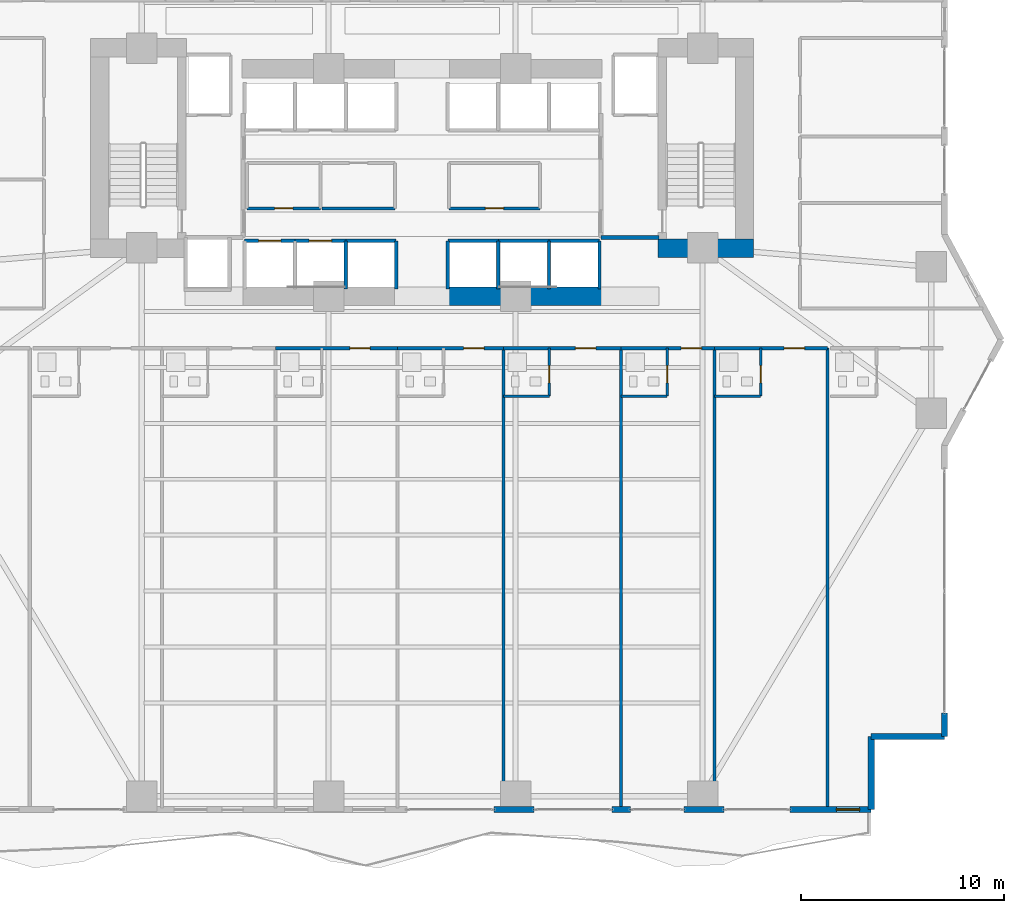
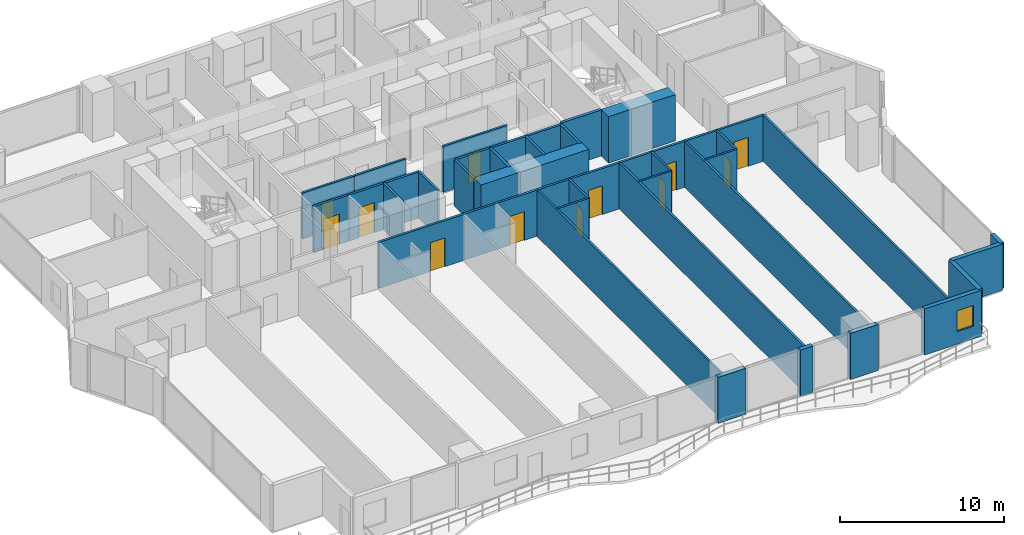
# One storey, part 19 of 28: 40 walls, 12 doors, 1 window, 13 openings.
"""IFC4 building model written with IfcOpenShell, lengths in metres."""

from ifc_helpers import new_model, si_unit, direction, frame, frame_2d, origin, place, context, subcontext, project, spatial, rectangle, extrude, material, layer, layer_set, type_object, element, fill, save


model = new_model("IFC4")

# Units and contexts
model_context = context("Model", 3, precision=1e-05, world=origin(), true_north=direction((0.0, 1.0)))
body_context = subcontext(model_context, "Body", "Model", "MODEL_VIEW")
ifc_project = project(units=[si_unit("LENGTHUNIT", "METRE"), si_unit("AREAUNIT", "SQUARE_METRE"), si_unit("VOLUMEUNIT", "CUBIC_METRE"), si_unit("PLANEANGLEUNIT", "RADIAN"), si_unit("MASSUNIT", "GRAM", prefix="KILO")], contexts=[model_context])

# Site, building, storey
site_placement = place(None, origin())
site = spatial("IfcSite", under=ifc_project, at=site_placement, CompositionType="ELEMENT")
building_placement = place(site_placement, origin())
building = spatial("IfcBuilding", under=site, at=building_placement, Name="Zuhayl Quay Hotel", CompositionType="ELEMENT")
storey_placement = place(building_placement, frame((0.0, 0.0, 34.89990234375)))
storey = spatial("IfcBuildingStorey", under=building, at=storey_placement, Name="L07", CompositionType="ELEMENT", Elevation=34.89990234375)

# Walls
ifc_material_1 = material(Name="Concrete C70/85", Category="concrete")
ifc_layer_1 = layer(ifc_material_1, 0.89990234375, Name="Concrete C70/85", Category="concrete")
ifc_layer_set_1 = layer_set([ifc_layer_1], Name="Concrete C70/85")
wall_type_1 = type_object("IfcWallType", Name="WL_CORE_900", PredefinedType="SHEAR", material=ifc_layer_set_1)
wall_1_placement = place(storey_placement, frame((11.60009765625, 4.52001953125, 0.0), z_axis=(0.0, 0.0, 1.0), x_axis=(1.0, 0.0, 0.0)))
element("IfcWall", 1, at=wall_1_placement, inside=storey, type_object=wall_type_1, Name="L07 Core Shear Wall CW_SE", PredefinedType="SHEAR", context=body_context, shape_type="SweptSolid", body=[
    extrude(rectangle(XDim=4.7099609375, YDim=0.89990234375, at=frame_2d((2.35498046875, 0.0))), origin(), (0.0, 0.0, 1.0), 3.460205078125),
])
wall_2_placement = place(storey_placement, frame((1.25, 2.14990234375, 0.0), z_axis=(0.0, 0.0, 1.0), x_axis=(1.0, 0.0, 0.0)))
element("IfcWall", 2, at=wall_2_placement, inside=storey, type_object=wall_type_1, Name="L07 Core Shear Wall CW_SC_E", PredefinedType="SHEAR", context=body_context, shape_type="SweptSolid", body=[
    extrude(rectangle(XDim=7.60009765625, YDim=0.89990234375, at=frame_2d((3.800048828125, 0.0))), origin(), (0.0, 0.0, 1.0), 3.43017578125),
])
ifc_material_2 = material(Name="Precast concrete C45/55", Category="concrete")
ifc_layer_2 = layer(ifc_material_2, 0.300048828125, Name="Precast concrete C45/55", Category="concrete")
ifc_layer_set_2 = layer_set([ifc_layer_2], Name="Precast concrete C45/55")
wall_type_2 = type_object("IfcWallType", Name="WL_EXT_300", PredefinedType="STANDARD", material=ifc_layer_set_2)
wall_3_placement = place(storey_placement, frame((25.699951171875, -18.35009765625, 0.0), z_axis=(0.0, 0.0, 1.0), x_axis=(0.0, -1.0, 0.0)))
element("IfcWall", 3, at=wall_3_placement, inside=storey, type_object=wall_type_2, Name="L07 Exterior Precast Wall ENV_L07_E14_EW2", PredefinedType="STANDARD", context=body_context, shape_type="SweptSolid", body=[
    extrude(rectangle(XDim=1.14990234375, YDim=0.300048828125, at=frame_2d((0.574951171875, 0.0))), origin(), (0.0, 0.0, 1.0), 3.43017578125),
])
wall_4_placement = place(storey_placement, frame((25.699951171875, -19.5, 0.0), z_axis=(0.0, 0.0, 1.0), x_axis=(-1.0, 0.0, 0.0)))
element("IfcWall", 4, at=wall_4_placement, inside=storey, type_object=wall_type_2, Name="L07 Exterior Precast Wall ENV_L07_EW15", PredefinedType="STANDARD", context=body_context, shape_type="SweptSolid", body=[
    extrude(rectangle(XDim=3.599853515625, YDim=0.300048828125, at=frame_2d((1.7998046875, 0.0))), origin(), (0.0, 0.0, 1.0), 3.43017578125),
])
wall_5_placement = place(storey_placement, frame((22.10009765625, -19.5, 0.0), z_axis=(0.0, 0.0, 1.0), x_axis=(0.0, -1.0, 0.0)))
element("IfcWall", 5, at=wall_5_placement, inside=storey, type_object=wall_type_2, Name="L07 Exterior Precast Wall ENV_L07_EW16", PredefinedType="STANDARD", context=body_context, shape_type="SweptSolid", body=[
    extrude(rectangle(XDim=3.60009765625, YDim=0.300048828125, at=frame_2d((1.800048828125, 0.0))), origin(), (0.0, 0.0, 1.0), 3.43017578125),
])

# Wall, opening, window
wall_6_placement = place(storey_placement, frame((22.10009765625, -23.10009765625, 0.0), z_axis=(0.0, 0.0, 1.0), x_axis=(-1.0, 0.0, 0.0)))
wall_6 = element("IfcWall", 6, at=wall_6_placement, inside=storey, type_object=wall_type_2, Name="L07 Exterior Precast Wall ENV_L07_S_EW1", PredefinedType="STANDARD", context=body_context, shape_type="SweptSolid", body=[
    extrude(rectangle(XDim=4.0, YDim=0.300048828125, at=frame_2d((2.0, 0.0))), origin(), (0.0, 0.0, 1.0), 3.43017578125),
])
opening_1_placement = place(wall_6_placement, frame((0.56494140625, 0.0, 0.949951171875)))
opening_1 = element("IfcOpeningElement", 7, at=opening_1_placement, cuts=wall_6, Name="Opening W01N", PredefinedType="OPENING", context=body_context, shape_type="SweptSolid", body=[
    extrude(rectangle(XDim=1.14990234375, YDim=1.550048828125, at=frame_2d((0.574951171875, 0.77490234375))), frame((0.0, 0.159912109375, 0.0), z_axis=(0.0, -1.0, 0.0), x_axis=(1.0, 0.0, 0.0)), (0.0, 0.0, 1.0), 0.320068359375),
])
ifc_material_3 = material(Name="Dark Ceramic-Fritted Solar Glass", Category="glass")
window_type = type_object("IfcWindowType", Name="WN_NOTCH_1350", PartitioningType="SINGLE_PANEL", PredefinedType="WINDOW", material=ifc_material_3)
window_placement = place(opening_1_placement, origin())
window = element("IfcWindow", 8, at=window_placement, inside=storey, type_object=window_type, Name="L07 Operable Facade Window 1-1", OverallHeight=1.550048828125, OverallWidth=1.14990234375, PartitioningType="SINGLE_PANEL", PredefinedType="WINDOW", context=body_context, shape_type="SweptSolid", body=[
    extrude(rectangle(XDim=1.14990234375, YDim=1.550048828125, at=frame_2d((0.574951171875, 0.77490234375))), frame((0.0, 0.030029296875, 0.0), z_axis=(0.0, -1.0, 0.0), x_axis=(1.0, 0.0, 0.0)), (0.0, 0.0, 1.0), 0.06005859375),
])
fill(opening_1, window)

# Walls
wall_7_placement = place(storey_placement, frame((14.85009765625, -23.10009765625, 0.0), z_axis=(0.0, 0.0, 1.0), x_axis=(-1.0, 0.0, 0.0)))
element("IfcWall", 9, at=wall_7_placement, inside=storey, type_object=wall_type_2, Name="L07 Exterior Precast Wall ENV_L07_S_EW2", PredefinedType="STANDARD", context=body_context, shape_type="SweptSolid", body=[
    extrude(rectangle(XDim=1.97021484375, YDim=0.300048828125, at=frame_2d((0.985107421875, 0.0))), origin(), (0.0, 0.0, 1.0), 3.43017578125),
])
wall_8_placement = place(storey_placement, frame((10.25, -23.10009765625, 0.0), z_axis=(0.0, 0.0, 1.0), x_axis=(-1.0, 0.0, 0.0)))
element("IfcWall", 10, at=wall_8_placement, inside=storey, type_object=wall_type_2, Name="L07 Exterior Precast Wall ENV_L07_S_EW3", PredefinedType="STANDARD", context=body_context, shape_type="SweptSolid", body=[
    extrude(rectangle(XDim=0.89990234375, YDim=0.300048828125, at=frame_2d((0.449951171875, 0.0))), origin(), (0.0, 0.0, 1.0), 3.43017578125),
])
wall_9_placement = place(storey_placement, frame((5.52001953125, -23.10009765625, 0.0), z_axis=(0.0, 0.0, 1.0), x_axis=(-1.0, 0.0, 0.0)))
element("IfcWall", 11, at=wall_9_placement, inside=storey, type_object=wall_type_2, Name="L07 Exterior Precast Wall ENV_L07_S_EW4", PredefinedType="STANDARD", context=body_context, shape_type="SweptSolid", body=[
    extrude(rectangle(XDim=1.969970703125, YDim=0.300048828125, at=frame_2d((0.98486328125, 0.0))), origin(), (0.0, 0.0, 1.0), 3.43017578125),
])

# Wall, opening, door
ifc_material_4 = material(Name="Acoustic Gypsum Partition STC-58")
ifc_layer_3 = layer(ifc_material_4, 0.14990234375, Name="Acoustic Gypsum Partition STC-58")
ifc_layer_set_3 = layer_set([ifc_layer_3], Name="Acoustic Gypsum Partition STC-58")
wall_type_3 = type_object("IfcWallType", Name="WL_PART_150", PredefinedType="PARTITIONING", material=ifc_layer_set_3)
wall_10_placement = place(storey_placement, frame((-8.610107421875, 6.47998046875, 0.0), z_axis=(0.0, 0.0, 1.0), x_axis=(1.0, 0.0, 0.0)))
wall_10 = element("IfcWall", 12, at=wall_10_placement, inside=storey, type_object=wall_type_3, Name="L07 Partition IW_L07_CORE_SW_S", PredefinedType="PARTITIONING", context=body_context, shape_type="SweptSolid", body=[
    extrude(rectangle(XDim=3.6201171875, YDim=0.14990234375, at=frame_2d((1.81005859375, 0.0))), origin(), (0.0, 0.0, 1.0), 3.43017578125),
])
opening_2_placement = place(wall_10_placement, frame((1.360107421875, 0.0, 0.0)))
opening_2 = element("IfcOpeningElement", 13, at=opening_2_placement, cuts=wall_10, Name="Opening D06", PredefinedType="OPENING", context=body_context, shape_type="SweptSolid", body=[
    extrude(rectangle(XDim=0.89990234375, YDim=2.14990234375, at=frame_2d((0.449951171875, 1.074951171875))), frame((0.0, 0.0849609375, 0.0), z_axis=(0.0, -1.0, 0.0), x_axis=(1.0, 0.0, 0.0)), (0.0, 0.0, 1.0), 0.169921875),
])
ifc_material_5 = material(Name="Steel ASTM A992 Grade 50", Category="steel")
door_type_1 = type_object("IfcDoorType", Name="DR_INT_900", OperationType="NOTDEFINED", PredefinedType="DOOR", material=ifc_material_5)
door_1_placement = place(opening_2_placement, origin())
door_1 = element("IfcDoor", 14, at=door_1_placement, inside=storey, type_object=door_type_1, Name="L07 Floor Switchgear Closet Door", OperationType="SINGLE_SWING_LEFT", OverallHeight=2.14990234375, OverallWidth=0.89990234375, PredefinedType="DOOR", context=body_context, shape_type="SweptSolid", body=[
    extrude(rectangle(XDim=0.89990234375, YDim=2.14990234375, at=frame_2d((0.449951171875, 1.074951171875))), frame((0.0, 0.02490234375, 0.0), z_axis=(0.0, -1.0, 0.0), x_axis=(1.0, 0.0, 0.0)), (0.0, 0.0, 1.0), 0.050048828125),
])
fill(opening_2, door_1)

wall_11_placement = place(storey_placement, frame((1.320068359375, 6.47998046875, 0.0), z_axis=(0.0, 0.0, 1.0), x_axis=(1.0, 0.0, 0.0)))
wall_11 = element("IfcWall", 15, at=wall_11_placement, inside=storey, type_object=wall_type_3, Name="L07 Partition IW_L07_CORE_PN_S", PredefinedType="PARTITIONING", context=body_context, shape_type="SweptSolid", body=[
    extrude(rectangle(XDim=4.489990234375, YDim=0.14990234375, at=frame_2d((2.2451171875, 0.0))), origin(), (0.0, 0.0, 1.0), 3.43017578125),
])
opening_3_placement = place(wall_11_placement, frame((1.794921875, 0.0, 0.0)))
opening_3 = element("IfcOpeningElement", 16, at=opening_3_placement, cuts=wall_11, Name="Opening D06", PredefinedType="OPENING", context=body_context, shape_type="SweptSolid", body=[
    extrude(rectangle(XDim=0.89990234375, YDim=2.14990234375, at=frame_2d((0.449951171875, 1.074951171875))), frame((0.0, 0.0849609375, 0.0), z_axis=(0.0, -1.0, 0.0), x_axis=(1.0, 0.0, 0.0)), (0.0, 0.0, 1.0), 0.169921875),
])
door_2_placement = place(opening_3_placement, origin())
door_2 = element("IfcDoor", 17, at=door_2_placement, inside=storey, type_object=door_type_1, Name="L07 Core Ice and Pantry Room Door", OperationType="SINGLE_SWING_LEFT", OverallHeight=2.14990234375, OverallWidth=0.89990234375, PredefinedType="DOOR", context=body_context, shape_type="SweptSolid", body=[
    extrude(rectangle(XDim=0.89990234375, YDim=2.14990234375, at=frame_2d((0.449951171875, 1.074951171875))), frame((0.0, 0.02490234375, 0.0), z_axis=(0.0, -1.0, 0.0), x_axis=(1.0, 0.0, 0.0)), (0.0, 0.0, 1.0), 0.050048828125),
])
fill(opening_3, door_2)

# Walls
wall_12_placement = place(storey_placement, frame((-4.929931640625, 6.47998046875, 0.0), z_axis=(0.0, 0.0, 1.0), x_axis=(1.0, 0.0, 0.0)))
element("IfcWall", 18, at=wall_12_placement, inside=storey, type_object=wall_type_3, Name="L07 Partition IW_L07_CORE_BM_S", PredefinedType="PARTITIONING", context=body_context, shape_type="SweptSolid", body=[
    extrude(rectangle(XDim=3.60986328125, YDim=0.14990234375, at=frame_2d((1.804931640625, 0.0))), origin(), (0.0, 0.0, 1.0), 3.43017578125),
])
for number, where, z_axis, x_axis, name in (
    (19, (4.0, -23.02001953125, 0.0), (0.0, 0.0, 1.0), (0.0, 1.0, 0.0), "L07 Partition IW_L07_SU04_E"),
    (20, (9.800048828125, -23.02001953125, 0.0), (0.0, 0.0, 1.0), (0.0, 1.0, 0.0), "L07 Partition IW_L07_SU05_E"),
    (21, (14.39990234375, -23.02001953125, 0.0), (0.0, 0.0, 1.0), (0.0, 1.0, 0.0), "L07 Partition IW_L07_SU06_E"),
    (22, (19.93994140625, -23.02001953125, 0.0), (0.0, 0.0, 1.0), (0.0, 1.0, 0.0), "L07 Partition IW_L07_SU07A_E"),
):
    element("IfcWall", number, at=place(storey_placement, frame(where, z_axis=z_axis, x_axis=x_axis)), inside=storey, type_object=wall_type_3, Name=name, PredefinedType="PARTITIONING", context=body_context, shape_type="SweptSolid", body=[
        extrude(rectangle(XDim=22.6201171875, YDim=0.14990234375, at=frame_2d((11.31005859375, 0.0))), origin(), (0.0, 0.0, 1.0), 3.43017578125),
    ])

# Wall, opening, door
ifc_layer_4 = layer(ifc_material_4, 0.159912109375, Name="Acoustic Gypsum Partition STC-58")
ifc_layer_set_4 = layer_set([ifc_layer_4], Name="Acoustic Gypsum Partition STC-58")
wall_type_4 = type_object("IfcWallType", Name="WL_PART_CORR_160", PredefinedType="PARTITIONING", material=ifc_layer_set_4)
wall_13_placement = place(storey_placement, frame((-7.199951171875, -0.39990234375, 0.0), z_axis=(0.0, 0.0, 1.0), x_axis=(1.0, 0.0, 0.0)))
wall_13 = element("IfcWall", 23, at=wall_13_placement, inside=storey, type_object=wall_type_4, Name="L07 Partition IW_L07_SU03_COR", PredefinedType="PARTITIONING", context=body_context, shape_type="SweptSolid", body=[
    extrude(rectangle(XDim=6.0, YDim=0.159912109375, at=frame_2d((3.0, 0.0))), origin(), (0.0, 0.0, 1.0), 3.43017578125),
])
opening_4_placement = place(wall_13_placement, frame((3.64990234375, 0.0, 0.0)))
opening_4 = element("IfcOpeningElement", 24, at=opening_4_placement, cuts=wall_13, Name="Opening D03L", PredefinedType="OPENING", context=body_context, shape_type="SweptSolid", body=[
    extrude(rectangle(XDim=1.0, YDim=2.14990234375, at=frame_2d((0.5, 1.074951171875))), frame((0.0, 0.08984375, 0.0), z_axis=(0.0, -1.0, 0.0), x_axis=(1.0, 0.0, 0.0)), (0.0, 0.0, 1.0), 0.179931640625),
])
ifc_material_6 = material(Name="Solid Walnut Acoustic Fire Door")
door_type_2 = type_object("IfcDoorType", Name="DR_SUITE_1000", OperationType="NOTDEFINED", PredefinedType="DOOR", material=ifc_material_6)
door_3_placement = place(opening_4_placement, origin())
door_3 = element("IfcDoor", 25, at=door_3_placement, inside=storey, type_object=door_type_2, Name="L07 Premier Twin Junior Suite L07-03 Entrance Door", OperationType="SINGLE_SWING_RIGHT", OverallHeight=2.14990234375, OverallWidth=1.0, PredefinedType="DOOR", context=body_context, shape_type="SweptSolid", body=[
    extrude(rectangle(XDim=1.0, YDim=2.14990234375, at=frame_2d((0.5, 1.074951171875))), frame((0.0, 0.02490234375, 0.0), z_axis=(0.0, -1.0, 0.0), x_axis=(1.0, 0.0, 0.0)), (0.0, 0.0, 1.0), 0.050048828125),
])
fill(opening_4, door_3)

wall_14_placement = place(storey_placement, frame((-1.199951171875, -0.39990234375, 0.0), z_axis=(0.0, 0.0, 1.0), x_axis=(1.0, 0.0, 0.0)))
wall_14 = element("IfcWall", 26, at=wall_14_placement, inside=storey, type_object=wall_type_4, Name="L07 Partition IW_L07_SU04_COR", PredefinedType="PARTITIONING", context=body_context, shape_type="SweptSolid", body=[
    extrude(rectangle(XDim=5.199951171875, YDim=0.159912109375, at=frame_2d((2.60009765625, 0.0))), origin(), (0.0, 0.0, 1.0), 3.43017578125),
])
opening_5_placement = place(wall_14_placement, frame((3.25, 0.0, 0.0)))
opening_5 = element("IfcOpeningElement", 27, at=opening_5_placement, cuts=wall_14, Name="Opening D03L", PredefinedType="OPENING", context=body_context, shape_type="SweptSolid", body=[
    extrude(rectangle(XDim=1.0, YDim=2.14990234375, at=frame_2d((0.5, 1.074951171875))), frame((0.0, 0.08984375, 0.0), z_axis=(0.0, -1.0, 0.0), x_axis=(1.0, 0.0, 0.0)), (0.0, 0.0, 1.0), 0.179931640625),
])
door_4_placement = place(opening_5_placement, origin())
door_4 = element("IfcDoor", 28, at=door_4_placement, inside=storey, type_object=door_type_2, Name="L07 Premier Twin Junior Suite L07-04 Entrance Door", OperationType="SINGLE_SWING_RIGHT", OverallHeight=2.14990234375, OverallWidth=1.0, PredefinedType="DOOR", context=body_context, shape_type="SweptSolid", body=[
    extrude(rectangle(XDim=1.0, YDim=2.14990234375, at=frame_2d((0.5, 1.074951171875))), frame((0.0, 0.02490234375, 0.0), z_axis=(0.0, -1.0, 0.0), x_axis=(1.0, 0.0, 0.0)), (0.0, 0.0, 1.0), 0.050048828125),
])
fill(opening_5, door_4)

wall_15_placement = place(storey_placement, frame((4.0, -0.39990234375, 0.0), z_axis=(0.0, 0.0, 1.0), x_axis=(1.0, 0.0, 0.0)))
wall_15 = element("IfcWall", 29, at=wall_15_placement, inside=storey, type_object=wall_type_4, Name="L07 Partition IW_L07_SU05_COR", PredefinedType="PARTITIONING", context=body_context, shape_type="SweptSolid", body=[
    extrude(rectangle(XDim=5.800048828125, YDim=0.159912109375, at=frame_2d((2.89990234375, 0.0))), origin(), (0.0, 0.0, 1.0), 3.43017578125),
])
opening_6_placement = place(wall_15_placement, frame((3.550048828125, 0.0, 0.0)))
opening_6 = element("IfcOpeningElement", 30, at=opening_6_placement, cuts=wall_15, Name="Opening D03L", PredefinedType="OPENING", context=body_context, shape_type="SweptSolid", body=[
    extrude(rectangle(XDim=1.0, YDim=2.14990234375, at=frame_2d((0.5, 1.074951171875))), frame((0.0, 0.08984375, 0.0), z_axis=(0.0, -1.0, 0.0), x_axis=(1.0, 0.0, 0.0)), (0.0, 0.0, 1.0), 0.179931640625),
])
door_5_placement = place(opening_6_placement, origin())
door_5 = element("IfcDoor", 31, at=door_5_placement, inside=storey, type_object=door_type_2, Name="L07 Premier Twin Junior Suite L07-05 Entrance Door", OperationType="SINGLE_SWING_RIGHT", OverallHeight=2.14990234375, OverallWidth=1.0, PredefinedType="DOOR", context=body_context, shape_type="SweptSolid", body=[
    extrude(rectangle(XDim=1.0, YDim=2.14990234375, at=frame_2d((0.5, 1.074951171875))), frame((0.0, 0.02490234375, 0.0), z_axis=(0.0, -1.0, 0.0), x_axis=(1.0, 0.0, 0.0)), (0.0, 0.0, 1.0), 0.050048828125),
])
fill(opening_6, door_5)

wall_16_placement = place(storey_placement, frame((9.800048828125, -0.39990234375, 0.0), z_axis=(0.0, 0.0, 1.0), x_axis=(1.0, 0.0, 0.0)))
wall_16 = element("IfcWall", 32, at=wall_16_placement, inside=storey, type_object=wall_type_4, Name="L07 Partition IW_L07_SU06_COR", PredefinedType="PARTITIONING", context=body_context, shape_type="SweptSolid", body=[
    extrude(rectangle(XDim=4.599853515625, YDim=0.159912109375, at=frame_2d((2.2998046875, 0.0))), origin(), (0.0, 0.0, 1.0), 3.43017578125),
])
opening_7_placement = place(wall_16_placement, frame((2.949951171875, 0.0, 0.0)))
opening_7 = element("IfcOpeningElement", 33, at=opening_7_placement, cuts=wall_16, Name="Opening D03L", PredefinedType="OPENING", context=body_context, shape_type="SweptSolid", body=[
    extrude(rectangle(XDim=1.0, YDim=2.14990234375, at=frame_2d((0.5, 1.074951171875))), frame((0.0, 0.08984375, 0.0), z_axis=(0.0, -1.0, 0.0), x_axis=(1.0, 0.0, 0.0)), (0.0, 0.0, 1.0), 0.179931640625),
])
door_6_placement = place(opening_7_placement, origin())
door_6 = element("IfcDoor", 34, at=door_6_placement, inside=storey, type_object=door_type_2, Name="L07 Premier Twin Junior Suite L07-06 Entrance Door", OperationType="SINGLE_SWING_RIGHT", OverallHeight=2.14990234375, OverallWidth=1.0, PredefinedType="DOOR", context=body_context, shape_type="SweptSolid", body=[
    extrude(rectangle(XDim=1.0, YDim=2.14990234375, at=frame_2d((0.5, 1.074951171875))), frame((0.0, 0.02490234375, 0.0), z_axis=(0.0, -1.0, 0.0), x_axis=(1.0, 0.0, 0.0)), (0.0, 0.0, 1.0), 0.050048828125),
])
fill(opening_7, door_6)

wall_17_placement = place(storey_placement, frame((14.39990234375, -0.39990234375, 0.0), z_axis=(0.0, 0.0, 1.0), x_axis=(1.0, 0.0, 0.0)))
wall_17 = element("IfcWall", 35, at=wall_17_placement, inside=storey, type_object=wall_type_4, Name="L07 Partition IW_L07_SU07A_COR", PredefinedType="PARTITIONING", context=body_context, shape_type="SweptSolid", body=[
    extrude(rectangle(XDim=5.5400390625, YDim=0.159912109375, at=frame_2d((2.77001953125, 0.0))), origin(), (0.0, 0.0, 1.0), 3.43017578125),
])
opening_8_placement = place(wall_17_placement, frame((3.419921875, 0.0, 0.0)))
opening_8 = element("IfcOpeningElement", 36, at=opening_8_placement, cuts=wall_17, Name="Opening D03L", PredefinedType="OPENING", context=body_context, shape_type="SweptSolid", body=[
    extrude(rectangle(XDim=1.0, YDim=2.14990234375, at=frame_2d((0.5, 1.074951171875))), frame((0.0, 0.08984375, 0.0), z_axis=(0.0, -1.0, 0.0), x_axis=(1.0, 0.0, 0.0)), (0.0, 0.0, 1.0), 0.179931640625),
])
door_7_placement = place(opening_8_placement, origin())
door_7 = element("IfcDoor", 37, at=door_7_placement, inside=storey, type_object=door_type_2, Name="L07 Premier Twin Junior Suite L07-07A Entrance Door", OperationType="SINGLE_SWING_RIGHT", OverallHeight=2.14990234375, OverallWidth=1.0, PredefinedType="DOOR", context=body_context, shape_type="SweptSolid", body=[
    extrude(rectangle(XDim=1.0, YDim=2.14990234375, at=frame_2d((0.5, 1.074951171875))), frame((0.0, 0.02490234375, 0.0), z_axis=(0.0, -1.0, 0.0), x_axis=(1.0, 0.0, 0.0)), (0.0, 0.0, 1.0), 0.050048828125),
])
fill(opening_8, door_7)

ifc_material_7 = material(Name="Moisture-Resistant Sanitarychase Gypsum")
ifc_layer_5 = layer(ifc_material_7, 0.135009765625, Name="Moisture-Resistant Sanitarychase Gypsum")
ifc_layer_set_5 = layer_set([ifc_layer_5], Name="Moisture-Resistant Sanitarychase Gypsum")
wall_type_5 = type_object("IfcWallType", Name="WL_PART_PLUMB_150", PredefinedType="PLUMBINGWALL", material=ifc_layer_set_5)
wall_18_placement = place(storey_placement, frame((6.260009765625, -2.760009765625, 0.0), z_axis=(0.0, 0.0, 1.0), x_axis=(0.0, 1.0, 0.0)))
wall_18 = element("IfcWall", 38, at=wall_18_placement, inside=storey, type_object=wall_type_5, Name="L07 Partition IW_L07_SU05_BE", PredefinedType="PLUMBINGWALL", context=body_context, shape_type="SweptSolid", body=[
    extrude(rectangle(XDim=2.360107421875, YDim=0.135009765625, at=frame_2d((1.18017578125, 0.0))), origin(), (0.0, 0.0, 1.0), 3.43017578125),
])
opening_9_placement = place(wall_18_placement, frame((0.64990234375, 0.0, 0.0)))
opening_9 = element("IfcOpeningElement", 39, at=opening_9_placement, cuts=wall_18, Name="Opening D04", PredefinedType="OPENING", context=body_context, shape_type="SweptSolid", body=[
    extrude(rectangle(XDim=0.85009765625, YDim=2.10009765625, at=frame_2d((0.425048828125, 1.050048828125))), frame((0.0, 0.077392578125, 0.0), z_axis=(0.0, -1.0, 0.0), x_axis=(1.0, 0.0, 0.0)), (0.0, 0.0, 1.0), 0.155029296875),
])
ifc_material_8 = material(Name="Moisture-Resistant Walnut Veneer")
door_type_3 = type_object("IfcDoorType", Name="DR_BATH_850", OperationType="NOTDEFINED", PredefinedType="DOOR", material=ifc_material_8)
door_8_placement = place(opening_9_placement, origin())
door_8 = element("IfcDoor", 40, at=door_8_placement, inside=storey, type_object=door_type_3, Name="L07 Premier Twin Junior Suite L07-05 En-Suite Door", OperationType="SINGLE_SWING_LEFT", OverallHeight=2.10009765625, OverallWidth=0.85009765625, PredefinedType="DOOR", context=body_context, shape_type="SweptSolid", body=[
    extrude(rectangle(XDim=0.85009765625, YDim=2.10009765625, at=frame_2d((0.425048828125, 1.050048828125))), frame((0.0, 0.02490234375, 0.0), z_axis=(0.0, -1.0, 0.0), x_axis=(1.0, 0.0, 0.0)), (0.0, 0.0, 1.0), 0.050048828125),
])
fill(opening_9, door_8)

wall_19_placement = place(storey_placement, frame((12.06005859375, -2.760009765625, 0.0), z_axis=(0.0, 0.0, 1.0), x_axis=(0.0, 1.0, 0.0)))
wall_19 = element("IfcWall", 41, at=wall_19_placement, inside=storey, type_object=wall_type_5, Name="L07 Partition IW_L07_SU06_BE", PredefinedType="PLUMBINGWALL", context=body_context, shape_type="SweptSolid", body=[
    extrude(rectangle(XDim=2.360107421875, YDim=0.135009765625, at=frame_2d((1.18017578125, 0.0))), origin(), (0.0, 0.0, 1.0), 3.43017578125),
])
opening_10_placement = place(wall_19_placement, frame((0.64990234375, 0.0, 0.0)))
opening_10 = element("IfcOpeningElement", 42, at=opening_10_placement, cuts=wall_19, Name="Opening D04", PredefinedType="OPENING", context=body_context, shape_type="SweptSolid", body=[
    extrude(rectangle(XDim=0.85009765625, YDim=2.10009765625, at=frame_2d((0.425048828125, 1.050048828125))), frame((0.0, 0.077392578125, 0.0), z_axis=(0.0, -1.0, 0.0), x_axis=(1.0, 0.0, 0.0)), (0.0, 0.0, 1.0), 0.155029296875),
])
door_9_placement = place(opening_10_placement, origin())
door_9 = element("IfcDoor", 43, at=door_9_placement, inside=storey, type_object=door_type_3, Name="L07 Premier Twin Junior Suite L07-06 En-Suite Door", OperationType="SINGLE_SWING_LEFT", OverallHeight=2.10009765625, OverallWidth=0.85009765625, PredefinedType="DOOR", context=body_context, shape_type="SweptSolid", body=[
    extrude(rectangle(XDim=0.85009765625, YDim=2.10009765625, at=frame_2d((0.425048828125, 1.050048828125))), frame((0.0, 0.02490234375, 0.0), z_axis=(0.0, -1.0, 0.0), x_axis=(1.0, 0.0, 0.0)), (0.0, 0.0, 1.0), 0.050048828125),
])
fill(opening_10, door_9)

wall_20_placement = place(storey_placement, frame((16.659912109375, -2.760009765625, 0.0), z_axis=(0.0, 0.0, 1.0), x_axis=(0.0, 1.0, 0.0)))
wall_20 = element("IfcWall", 44, at=wall_20_placement, inside=storey, type_object=wall_type_5, Name="L07 Partition IW_L07_SU07A_BE", PredefinedType="PLUMBINGWALL", context=body_context, shape_type="SweptSolid", body=[
    extrude(rectangle(XDim=2.360107421875, YDim=0.135009765625, at=frame_2d((1.18017578125, 0.0))), origin(), (0.0, 0.0, 1.0), 3.43017578125),
])
opening_11_placement = place(wall_20_placement, frame((0.64990234375, 0.0, 0.0)))
opening_11 = element("IfcOpeningElement", 45, at=opening_11_placement, cuts=wall_20, Name="Opening D04", PredefinedType="OPENING", context=body_context, shape_type="SweptSolid", body=[
    extrude(rectangle(XDim=0.85009765625, YDim=2.10009765625, at=frame_2d((0.425048828125, 1.050048828125))), frame((0.0, 0.077392578125, 0.0), z_axis=(0.0, -1.0, 0.0), x_axis=(1.0, 0.0, 0.0)), (0.0, 0.0, 1.0), 0.155029296875),
])
door_10_placement = place(opening_11_placement, origin())
door_10 = element("IfcDoor", 46, at=door_10_placement, inside=storey, type_object=door_type_3, Name="L07 Premier Twin Junior Suite L07-07A En-Suite Door", OperationType="SINGLE_SWING_LEFT", OverallHeight=2.10009765625, OverallWidth=0.85009765625, PredefinedType="DOOR", context=body_context, shape_type="SweptSolid", body=[
    extrude(rectangle(XDim=0.85009765625, YDim=2.10009765625, at=frame_2d((0.425048828125, 1.050048828125))), frame((0.0, 0.02490234375, 0.0), z_axis=(0.0, -1.0, 0.0), x_axis=(1.0, 0.0, 0.0)), (0.0, 0.0, 1.0), 0.050048828125),
])
fill(opening_11, door_10)

# Walls
for number, where, z_axis, x_axis, name in (
    (47, (4.0, -2.760009765625, 0.0), (0.0, 0.0, 1.0), (1.0, 0.0, 0.0), "L07 Partition IW_L07_SU05_BS"),
    (48, (9.800048828125, -2.760009765625, 0.0), (0.0, 0.0, 1.0), (1.0, 0.0, 0.0), "L07 Partition IW_L07_SU06_BS"),
    (49, (14.39990234375, -2.760009765625, 0.0), (0.0, 0.0, 1.0), (1.0, 0.0, 0.0), "L07 Partition IW_L07_SU07A_BS"),
):
    element("IfcWall", number, at=place(storey_placement, frame(where, z_axis=z_axis, x_axis=x_axis)), inside=storey, type_object=wall_type_5, Name=name, PredefinedType="PLUMBINGWALL", context=body_context, shape_type="SweptSolid", body=[
        extrude(rectangle(XDim=2.260009765625, YDim=0.135009765625, at=frame_2d((1.1298828125, 0.0))), origin(), (0.0, 0.0, 1.0), 3.43017578125),
    ])

# Wall, opening, door
ifc_material_9 = material(Name="Gypsum Fireboard Assembly EI-90")
ifc_layer_6 = layer(ifc_material_9, 0.1650390625, Name="Gypsum Fireboard Assembly EI-90")
ifc_layer_set_6 = layer_set([ifc_layer_6], Name="Gypsum Fireboard Assembly EI-90")
wall_type_6 = type_object("IfcWallType", Name="WL_PART_SHAFT_160", PredefinedType="PARTITIONING", material=ifc_layer_set_6)
wall_21_placement = place(storey_placement, frame((-8.72998046875, 4.8798828125, 0.0), z_axis=(0.0, 0.0, 1.0), x_axis=(1.0, 0.0, 0.0)))
wall_21 = element("IfcWall", 50, at=wall_21_placement, inside=storey, type_object=wall_type_6, Name="L07 Partition IW_L07_SH_LP1_F", PredefinedType="PARTITIONING", context=body_context, shape_type="SweptSolid", body=[
    extrude(rectangle(XDim=2.47998046875, YDim=0.1650390625, at=frame_2d((1.239990234375, 0.0))), origin(), (0.0, 0.0, 1.0), 3.43017578125),
])
opening_12_placement = place(wall_21_placement, frame((0.68994140625, 0.0, 0.0)))
opening_12 = element("IfcOpeningElement", 51, at=opening_12_placement, cuts=wall_21, Name="Opening LD1", PredefinedType="OPENING", context=body_context, shape_type="SweptSolid", body=[
    extrude(rectangle(XDim=1.10009765625, YDim=2.25, at=frame_2d((0.550048828125, 1.125))), frame((0.0, 0.092529296875, 0.0), z_axis=(0.0, -1.0, 0.0), x_axis=(1.0, 0.0, 0.0)), (0.0, 0.0, 1.0), 0.18505859375),
])
ifc_material_10 = material(Name="Brushed Stainless Steel", Category="steel")
door_type_4 = type_object("IfcDoorType", Name="DR_LIFT_PASS_1100", OperationType="SLIDING_TO_LEFT", PredefinedType="DOOR", material=ifc_material_10)
door_11_placement = place(opening_12_placement, origin())
door_11 = element("IfcDoor", 52, at=door_11_placement, inside=storey, type_object=door_type_4, Name="L07 Lift LP1 Sliding Landing Door", OperationType="SLIDING_TO_LEFT", OverallHeight=2.25, OverallWidth=1.10009765625, PredefinedType="DOOR", context=body_context, shape_type="SweptSolid", body=[
    extrude(rectangle(XDim=1.10009765625, YDim=2.25, at=frame_2d((0.550048828125, 1.125))), frame((0.0, 0.02490234375, 0.0), z_axis=(0.0, -1.0, 0.0), x_axis=(1.0, 0.0, 0.0)), (0.0, 0.0, 1.0), 0.050048828125),
])
fill(opening_12, door_11)

wall_22_placement = place(storey_placement, frame((-6.25, 4.8798828125, 0.0), z_axis=(0.0, 0.0, 1.0), x_axis=(1.0, 0.0, 0.0)))
wall_22 = element("IfcWall", 53, at=wall_22_placement, inside=storey, type_object=wall_type_6, Name="L07 Partition IW_L07_SH_LP2_F", PredefinedType="PARTITIONING", context=body_context, shape_type="SweptSolid", body=[
    extrude(rectangle(XDim=2.5, YDim=0.1650390625, at=frame_2d((1.25, 0.0))), origin(), (0.0, 0.0, 1.0), 3.43017578125),
])
opening_13_placement = place(wall_22_placement, frame((0.699951171875, 0.0, 0.0)))
opening_13 = element("IfcOpeningElement", 54, at=opening_13_placement, cuts=wall_22, Name="Opening LD1", PredefinedType="OPENING", context=body_context, shape_type="SweptSolid", body=[
    extrude(rectangle(XDim=1.10009765625, YDim=2.25, at=frame_2d((0.550048828125, 1.125))), frame((0.0, 0.092529296875, 0.0), z_axis=(0.0, -1.0, 0.0), x_axis=(1.0, 0.0, 0.0)), (0.0, 0.0, 1.0), 0.18505859375),
])
door_12_placement = place(opening_13_placement, origin())
door_12 = element("IfcDoor", 55, at=door_12_placement, inside=storey, type_object=door_type_4, Name="L07 Lift LP2 Sliding Landing Door", OperationType="SLIDING_TO_LEFT", OverallHeight=2.25, OverallWidth=1.10009765625, PredefinedType="DOOR", context=body_context, shape_type="SweptSolid", body=[
    extrude(rectangle(XDim=1.10009765625, YDim=2.25, at=frame_2d((0.550048828125, 1.125))), frame((0.0, 0.02490234375, 0.0), z_axis=(0.0, -1.0, 0.0), x_axis=(1.0, 0.0, 0.0)), (0.0, 0.0, 1.0), 0.050048828125),
])
fill(opening_13, door_12)

# Walls
wall_23_placement = place(storey_placement, frame((-3.75, 2.52001953125, 0.0), z_axis=(0.0, 0.0, 1.0), x_axis=(0.0, 1.0, 0.0)))
element("IfcWall", 56, at=wall_23_placement, inside=storey, type_object=wall_type_6, Name="L07 Partition IW_L07_SH_LP2_E", PredefinedType="PARTITIONING", context=body_context, shape_type="SweptSolid", body=[
    extrude(rectangle(XDim=2.35986328125, YDim=0.1650390625, at=frame_2d((1.179931640625, 0.0))), origin(), (0.0, 0.0, 1.0), 3.43017578125),
])
wall_24_placement = place(storey_placement, frame((-3.75, 4.8798828125, 0.0), z_axis=(0.0, 0.0, 1.0), x_axis=(1.0, 0.0, 0.0)))
element("IfcWall", 57, at=wall_24_placement, inside=storey, type_object=wall_type_6, Name="L07 Partition IW_L07_SH_MP1_F", PredefinedType="PARTITIONING", context=body_context, shape_type="SweptSolid", body=[
    extrude(rectangle(XDim=2.47998046875, YDim=0.1650390625, at=frame_2d((1.239990234375, 0.0))), origin(), (0.0, 0.0, 1.0), 3.43017578125),
])
wall_25_placement = place(storey_placement, frame((-1.27001953125, 2.52001953125, 0.0), z_axis=(0.0, 0.0, 1.0), x_axis=(0.0, 1.0, 0.0)))
element("IfcWall", 58, at=wall_25_placement, inside=storey, type_object=wall_type_6, Name="L07 Partition IW_L07_SH_MP1_E", PredefinedType="PARTITIONING", context=body_context, shape_type="SweptSolid", body=[
    extrude(rectangle(XDim=2.35986328125, YDim=0.1650390625, at=frame_2d((1.179931640625, 0.0))), origin(), (0.0, 0.0, 1.0), 3.43017578125),
])
wall_26_placement = place(storey_placement, frame((1.27001953125, 4.8798828125, 0.0), z_axis=(0.0, 0.0, 1.0), x_axis=(1.0, 0.0, 0.0)))
element("IfcWall", 59, at=wall_26_placement, inside=storey, type_object=wall_type_6, Name="L07 Partition IW_L07_SH_MP2_F", PredefinedType="PARTITIONING", context=body_context, shape_type="SweptSolid", body=[
    extrude(rectangle(XDim=2.47998046875, YDim=0.1650390625, at=frame_2d((1.239990234375, 0.0))), origin(), (0.0, 0.0, 1.0), 3.43017578125),
])
for number, where, z_axis, x_axis, name in (
    (60, (1.27001953125, 2.52001953125, 0.0), (0.0, 0.0, 1.0), (0.0, 1.0, 0.0), "L07 Partition IW_L07_SH_MP2_W"),
    (61, (3.75, 2.52001953125, 0.0), (0.0, 0.0, 1.0), (0.0, 1.0, 0.0), "L07 Partition IW_L07_SH_MP2_E"),
):
    element("IfcWall", number, at=place(storey_placement, frame(where, z_axis=z_axis, x_axis=x_axis)), inside=storey, type_object=wall_type_6, Name=name, PredefinedType="PARTITIONING", context=body_context, shape_type="SweptSolid", body=[
        extrude(rectangle(XDim=2.35986328125, YDim=0.1650390625, at=frame_2d((1.179931640625, 0.0))), origin(), (0.0, 0.0, 1.0), 3.43017578125),
    ])
wall_27_placement = place(storey_placement, frame((3.75, 4.8798828125, 0.0), z_axis=(0.0, 0.0, 1.0), x_axis=(1.0, 0.0, 0.0)))
element("IfcWall", 62, at=wall_27_placement, inside=storey, type_object=wall_type_6, Name="L07 Partition IW_L07_SH_HP1_F", PredefinedType="PARTITIONING", context=body_context, shape_type="SweptSolid", body=[
    extrude(rectangle(XDim=2.5, YDim=0.1650390625, at=frame_2d((1.25, 0.0))), origin(), (0.0, 0.0, 1.0), 3.43017578125),
])
wall_28_placement = place(storey_placement, frame((6.25, 2.52001953125, 0.0), z_axis=(0.0, 0.0, 1.0), x_axis=(0.0, 1.0, 0.0)))
element("IfcWall", 63, at=wall_28_placement, inside=storey, type_object=wall_type_6, Name="L07 Partition IW_L07_SH_HP1_E", PredefinedType="PARTITIONING", context=body_context, shape_type="SweptSolid", body=[
    extrude(rectangle(XDim=2.35986328125, YDim=0.1650390625, at=frame_2d((1.179931640625, 0.0))), origin(), (0.0, 0.0, 1.0), 3.43017578125),
])
wall_29_placement = place(storey_placement, frame((6.25, 4.8798828125, 0.0), z_axis=(0.0, 0.0, 1.0), x_axis=(1.0, 0.0, 0.0)))
element("IfcWall", 64, at=wall_29_placement, inside=storey, type_object=wall_type_6, Name="L07 Partition IW_L07_SH_HP2_F", PredefinedType="PARTITIONING", context=body_context, shape_type="SweptSolid", body=[
    extrude(rectangle(XDim=2.47998046875, YDim=0.1650390625, at=frame_2d((1.239990234375, 0.0))), origin(), (0.0, 0.0, 1.0), 3.43017578125),
])
wall_30_placement = place(storey_placement, frame((8.72998046875, 2.52001953125, 0.0), z_axis=(0.0, 0.0, 1.0), x_axis=(0.0, 1.0, 0.0)))
element("IfcWall", 65, at=wall_30_placement, inside=storey, type_object=wall_type_6, Name="L07 Partition IW_L07_SH_HP2_E", PredefinedType="PARTITIONING", context=body_context, shape_type="SweptSolid", body=[
    extrude(rectangle(XDim=2.35986328125, YDim=0.1650390625, at=frame_2d((1.179931640625, 0.0))), origin(), (0.0, 0.0, 1.0), 3.43017578125),
])
ifc_material_11 = material(Name="Gypsum Fireboard Assembly EI-120")
ifc_layer_7 = layer(ifc_material_11, 0.199951171875, Name="Gypsum Fireboard Assembly EI-120")
ifc_layer_set_7 = layer_set([ifc_layer_7], Name="Gypsum Fireboard Assembly EI-120")
wall_type_7 = type_object("IfcWallType", Name="WL_PART_SHAFT_200", PredefinedType="PARTITIONING", material=ifc_layer_set_7)
wall_31_placement = place(storey_placement, frame((8.800048828125, 5.050048828125, 0.0), z_axis=(0.0, 0.0, 1.0), x_axis=(1.0, 0.0, 0.0)))
element("IfcWall", 66, at=wall_31_placement, inside=storey, type_object=wall_type_7, Name="L07 Partition IW_L07_FSAE_E_S", PredefinedType="PARTITIONING", context=body_context, shape_type="SweptSolid", body=[
    extrude(rectangle(XDim=2.849853515625, YDim=0.199951171875, at=frame_2d((1.4248046875, 0.0))), origin(), (0.0, 0.0, 1.0), 3.43017578125),
])

save(model, "model.ifc")
